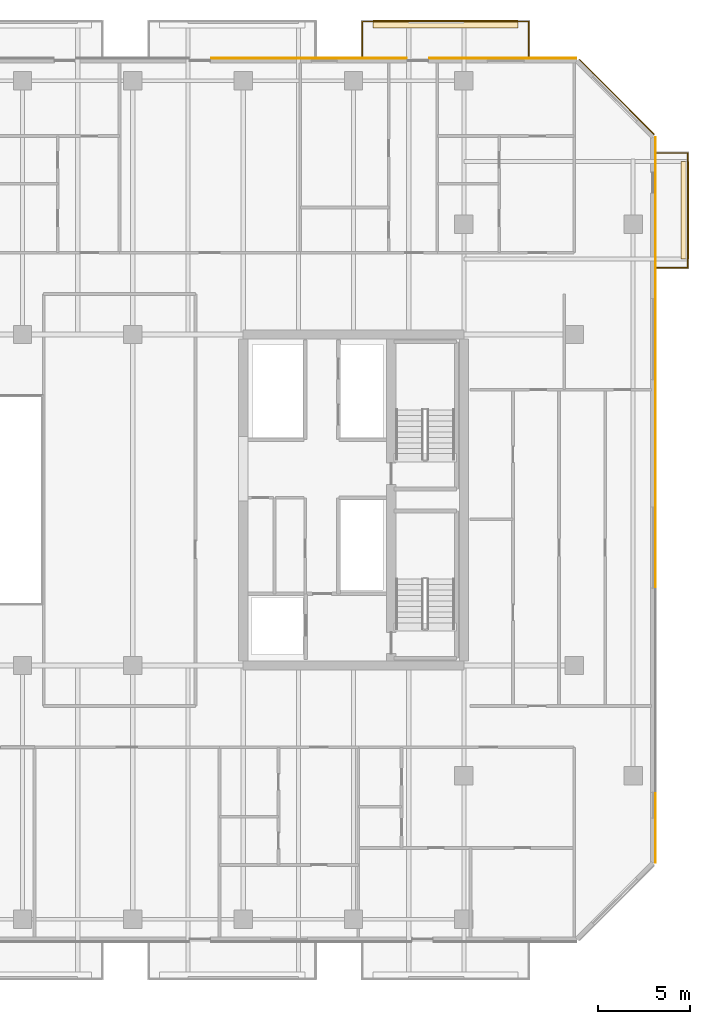
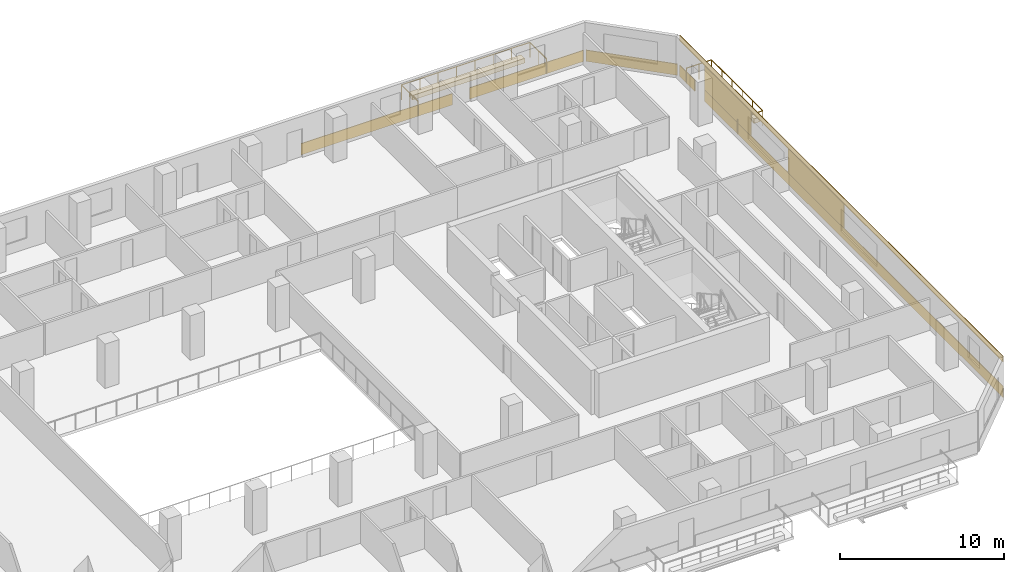
# One storey, part 23 of 23: 10 coverings, 2 railings.
"""IFC4 building model written with IfcOpenShell, lengths in metres."""

from ifc_helpers import new_model, si_unit, direction, frame, origin, origin_2d, place, context, subcontext, project, spatial, polyline, rectangle, outline, extrude, material, layer, layer_set, type_object, element, save


model = new_model("IFC4")

# Units and contexts
model_context = context("Model", 3, precision=1e-05, world=origin(), true_north=direction((0.0, 1.0)))
body_context = subcontext(model_context, "Body", "Model", "MODEL_VIEW")
ifc_project = project(units=[si_unit("LENGTHUNIT", "METRE"), si_unit("AREAUNIT", "SQUARE_METRE"), si_unit("VOLUMEUNIT", "CUBIC_METRE"), si_unit("PLANEANGLEUNIT", "RADIAN"), si_unit("MASSUNIT", "GRAM", prefix="KILO")], contexts=[model_context])

# Site, building, storey
site_placement = place(None, origin())
site = spatial("IfcSite", under=ifc_project, at=site_placement, CompositionType="ELEMENT")
building_placement = place(site_placement, origin())
building = spatial("IfcBuilding", under=site, at=building_placement, Name="Tanjung Sevakor Pilgrim Tower", CompositionType="ELEMENT")
storey_placement = place(building_placement, frame((0.0, 0.0, 82.169921875)))
storey = spatial("IfcBuildingStorey", under=building, at=storey_placement, Name="L22", CompositionType="ELEMENT", Elevation=82.169921875)

# Coverings
ifc_material_1 = material(Name="Reconstructed Limestone Cladding", Category="masonry")
ifc_layer_1 = layer(ifc_material_1, 0.044921875)
ifc_layer_set_1 = layer_set([ifc_layer_1], Name="COV-CLAD-LIMESTONE")
covering_type_1 = type_object("IfcCoveringType", Name="COV-CLAD-LIMESTONE", PredefinedType="CLADDING", material=ifc_layer_set_1)
covering_1_placement = place(storey_placement, frame((100.422607421875, 32.06591796875, 0.01025390625), z_axis=(0.0, 0.0, 1.0), x_axis=(0.0, 1.0, 0.0)))
element("IfcCovering", 1, at=covering_1_placement, inside=storey, type_object=covering_type_1, Name="L22 Warm Limestone Sill Spandrel EW-L22-MAIN-7-1", PredefinedType="CLADDING", context=body_context, shape_type="SweptSolid", body=[
    extrude(rectangle(XDim=36.34814453125, YDim=0.044921875, at=origin_2d()), origin(), (0.0, 0.0, 1.0), 0.840087890625),
])
covering_2_placement = place(storey_placement, frame((100.422607421875, 52.384033203125, 0.01025390625), z_axis=(0.0, 0.0, 1.0), x_axis=(0.0, 1.0, 0.0)))
element("IfcCovering", 2, at=covering_2_placement, inside=storey, type_object=covering_type_1, Name="L22 Warm Limestone Sill Spandrel EW-L22-MAIN-7-2", PredefinedType="CLADDING", context=body_context, shape_type="SweptSolid", body=[
    extrude(rectangle(XDim=1.84814453125, YDim=0.044921875, at=origin_2d()), origin(), (0.0, 0.0, 1.0), 0.840087890625),
])
covering_3_placement = place(storey_placement, frame((100.422607421875, 33.60009765625, 2.66015625), z_axis=(0.0, 0.0, 1.0), x_axis=(0.0, 1.0, 0.0)))
element("IfcCovering", 3, at=covering_3_placement, inside=storey, type_object=covering_type_1, Name="L22 Warm Limestone Cornice Spandrel EW-L22-MAIN-7", PredefinedType="CLADDING", context=body_context, shape_type="SweptSolid", body=[
    extrude(rectangle(XDim=39.456298828125, YDim=0.044921875, at=origin_2d()), origin(), (0.0, 0.0, 1.0), 0.409912109375),
])
covering_4_placement = place(storey_placement, frame((100.422607421875, 36.679931640625, 0.85009765625), z_axis=(0.0, 0.0, 1.0), x_axis=(0.0, 1.0, 0.0)))
element("IfcCovering", 4, at=covering_4_placement, inside=storey, type_object=covering_type_1, Name="L22 Warm Limestone Pier Panel EW-L22-MAIN-7-2", PredefinedType="CLADDING", context=body_context, shape_type="SweptSolid", body=[
    extrude(rectangle(XDim=6.840087890625, YDim=0.044921875, at=origin_2d()), origin(), (0.0, 0.0, 1.0), 1.81005859375),
])
covering_5_placement = place(storey_placement, frame((100.422607421875, 47.425048828125, 0.85009765625), z_axis=(0.0, 0.0, 1.0), x_axis=(0.0, 1.0, 0.0)))
element("IfcCovering", 5, at=covering_5_placement, inside=storey, type_object=covering_type_1, Name="L22 Warm Limestone Pier Panel EW-L22-MAIN-7-3", PredefinedType="CLADDING", context=body_context, shape_type="SweptSolid", body=[
    extrude(rectangle(XDim=5.64990234375, YDim=0.044921875, at=origin_2d()), origin(), (0.0, 0.0, 1.0), 1.81005859375),
])
covering_6_placement = place(storey_placement, frame((98.31591796875, 55.515869140625, 0.01025390625), z_axis=(0.0, 0.0, 1.0), x_axis=(-0.707106781187, 0.707106781187, 0.0)))
element("IfcCovering", 6, at=covering_6_placement, inside=storey, type_object=covering_type_1, Name="L22 Warm Limestone Sill Spandrel EW-CHM-L22-MAIN-7-1", PredefinedType="CLADDING", context=body_context, shape_type="SweptSolid", body=[
    extrude(rectangle(XDim=5.756103515625, YDim=0.044921875, at=origin_2d()), origin(), (0.0, 0.0, 1.0), 0.840087890625),
])
covering_7_placement = place(storey_placement, frame((92.109130859375, 57.62255859375, 0.01025390625), z_axis=(0.0, 0.0, 1.0), x_axis=(-1.0, 0.0, 0.0)))
element("IfcCovering", 7, at=covering_7_placement, inside=storey, type_object=covering_type_1, Name="L22 Warm Limestone Sill Spandrel EW-L22-MAIN-9-1", PredefinedType="CLADDING", context=body_context, shape_type="SweptSolid", body=[
    extrude(rectangle(XDim=7.998291015625, YDim=0.044921875, at=origin_2d()), origin(), (0.0, 0.0, 1.0), 0.840087890625),
])
covering_8_placement = place(storey_placement, frame((81.574951171875, 57.62255859375, 0.01025390625), z_axis=(0.0, 0.0, 1.0), x_axis=(-1.0, 0.0, 0.0)))
element("IfcCovering", 8, at=covering_8_placement, inside=storey, type_object=covering_type_1, Name="L22 Warm Limestone Sill Spandrel EW-L22-MAIN-9-2", PredefinedType="CLADDING", context=body_context, shape_type="SweptSolid", body=[
    extrude(rectangle(XDim=10.6298828125, YDim=0.044921875, at=origin_2d()), origin(), (0.0, 0.0, 1.0), 0.840087890625),
])
ifc_material_2 = material(Name="Vegetated Modular Planter Assembly", Category="organic")
ifc_layer_2 = layer(ifc_material_2, 0.35009765625)
ifc_layer_set_2 = layer_set([ifc_layer_2], Name="COV-GRN-TROUGH")
covering_type_2 = type_object("IfcCoveringType", Name="COV-GRN-TROUGH", PredefinedType="CLADDING", material=ifc_layer_set_2)
covering_9_placement = place(storey_placement, origin())
element("IfcCovering", 9, at=covering_9_placement, inside=storey, type_object=covering_type_2, Name="L22 Planted Landscape Hedge Trough BGRN-L22-MAIN-N4", PredefinedType="CLADDING", context=body_context, shape_type="SweptSolid", body=[
    extrude(outline(polyline([(85.050048828125, 59.260009765625), (92.949951171875, 59.260009765625), (92.949951171875, 59.699951171875), (85.050048828125, 59.699951171875), (85.050048828125, 59.260009765625)])), origin(), (0.0, 0.0, 1.0), 0.35009765625),
])
covering_10_placement = place(storey_placement, origin())
element("IfcCovering", 10, at=covering_10_placement, inside=storey, type_object=covering_type_2, Name="L22 Planted Landscape Hedge Trough BGRN-L22-MAIN-E1", PredefinedType="CLADDING", context=body_context, shape_type="SweptSolid", body=[
    extrude(outline(polyline([(102.25, 46.699951171875), (102.25, 52.0), (101.81005859375, 52.0), (101.81005859375, 46.699951171875), (102.25, 46.699951171875)])), origin(), (0.0, 0.0, 1.0), 0.35009765625),
])

# Railings
ifc_material_3 = material(Name="Laminated Glass and Aluminium", Category="aluminium")
railing_type = type_object("IfcRailingType", Name="RL-BAL-BALUST", PredefinedType="BALUSTRADE", material=ifc_material_3)
railing_1_placement = place(storey_placement, frame((84.47998046875, 57.60009765625, 0.0)))
element("IfcRailing", 11, at=railing_1_placement, inside=storey, type_object=railing_type, Name="L22 Loggia Balustrade MAIN-N4", PredefinedType="BALUSTRADE", context=body_context, shape_type="SweptSolid", body=[
    extrude(rectangle(XDim=0.0479, YDim=0.0479), frame((0.0, 0.0, 1.1259765625), z_axis=(0.0, 1.0, 0.0), x_axis=(-1.0, 0.0, 0.0)), (0.0, 0.0, 1.0), 2.02001953125),
    extrude(rectangle(XDim=0.0479, YDim=0.0479), frame((0.0, 2.02001953125, 1.1259765625), z_axis=(1.0, 0.0, 0.0), x_axis=(0.0, 1.0, 0.0)), (0.0, 0.0, 1.0), 9.0400390625),
    extrude(rectangle(XDim=0.0479, YDim=0.0479), frame((9.0400390625, 2.02001953125, 1.1259765625), z_axis=(0.0, -1.0, 0.0), x_axis=(1.0, 0.0, 0.0)), (0.0, 0.0, 1.0), 2.02001953125),
    extrude(rectangle(XDim=0.042, YDim=0.042), origin(), (0.0, 0.0, 1.0), 1.101806640625),
    extrude(rectangle(XDim=0.042, YDim=0.042), frame((0.0, 1.010009765625, 0.0)), (0.0, 0.0, 1.0), 1.101806640625),
    extrude(rectangle(XDim=0.042, YDim=0.042), frame((0.0, 2.02001953125, 0.0)), (0.0, 0.0, 1.0), 1.101806640625),
    extrude(rectangle(XDim=0.042, YDim=0.042), frame((1.29150390625, 2.02001953125, 0.0)), (0.0, 0.0, 1.0), 1.101806640625),
    extrude(rectangle(XDim=0.042, YDim=0.042), frame((2.582763671875, 2.02001953125, 0.0)), (0.0, 0.0, 1.0), 1.101806640625),
    extrude(rectangle(XDim=0.042, YDim=0.042), frame((3.874267578125, 2.02001953125, 0.0)), (0.0, 0.0, 1.0), 1.101806640625),
    extrude(rectangle(XDim=0.042, YDim=0.042), frame((5.165771484375, 2.02001953125, 0.0)), (0.0, 0.0, 1.0), 1.101806640625),
    extrude(rectangle(XDim=0.042, YDim=0.042), frame((6.457275390625, 2.02001953125, 0.0)), (0.0, 0.0, 1.0), 1.101806640625),
    extrude(rectangle(XDim=0.042, YDim=0.042), frame((7.74853515625, 2.02001953125, 0.0)), (0.0, 0.0, 1.0), 1.101806640625),
    extrude(rectangle(XDim=0.042, YDim=0.042), frame((9.0400390625, 2.02001953125, 0.0)), (0.0, 0.0, 1.0), 1.101806640625),
    extrude(rectangle(XDim=0.042, YDim=0.042), frame((9.0400390625, 1.010009765625, 0.0)), (0.0, 0.0, 1.0), 1.101806640625),
    extrude(rectangle(XDim=0.042, YDim=0.042), frame((9.0400390625, 0.0, 0.0)), (0.0, 0.0, 1.0), 1.101806640625),
])
railing_2_placement = place(storey_placement, frame((100.39990234375, 46.22998046875, 0.0)))
element("IfcRailing", 12, at=railing_2_placement, inside=storey, type_object=railing_type, Name="L22 Loggia Balustrade MAIN-E1", PredefinedType="BALUSTRADE", context=body_context, shape_type="SweptSolid", body=[
    extrude(rectangle(XDim=0.0479, YDim=0.0479), frame((0.0, 0.0, 1.1259765625), z_axis=(1.0, 0.0, 0.0), x_axis=(0.0, 1.0, 0.0)), (0.0, 0.0, 1.0), 1.77001953125),
    extrude(rectangle(XDim=0.0479, YDim=0.0479), frame((1.77001953125, 0.0, 1.1259765625), z_axis=(0.0, 1.0, 0.0), x_axis=(-1.0, 0.0, 0.0)), (0.0, 0.0, 1.0), 6.239990234375),
    extrude(rectangle(XDim=0.0479, YDim=0.0479), frame((1.77001953125, 6.239990234375, 1.1259765625), z_axis=(-1.0, 0.0, 0.0), x_axis=(0.0, -1.0, 0.0)), (0.0, 0.0, 1.0), 1.77001953125),
    extrude(rectangle(XDim=0.042, YDim=0.042), origin(), (0.0, 0.0, 1.0), 1.101806640625),
    extrude(rectangle(XDim=0.042, YDim=0.042), frame((0.885009765625, 0.0, 0.0)), (0.0, 0.0, 1.0), 1.101806640625),
    extrude(rectangle(XDim=0.042, YDim=0.042), frame((1.77001953125, 0.0, 0.0)), (0.0, 0.0, 1.0), 1.101806640625),
    extrude(rectangle(XDim=0.042, YDim=0.042), frame((1.77001953125, 1.248046875, 0.0)), (0.0, 0.0, 1.0), 1.101806640625),
    extrude(rectangle(XDim=0.042, YDim=0.042), frame((1.77001953125, 2.49609375, 0.0)), (0.0, 0.0, 1.0), 1.101806640625),
    extrude(rectangle(XDim=0.042, YDim=0.042), frame((1.77001953125, 3.743896484375, 0.0)), (0.0, 0.0, 1.0), 1.101806640625),
    extrude(rectangle(XDim=0.042, YDim=0.042), frame((1.77001953125, 4.991943359375, 0.0)), (0.0, 0.0, 1.0), 1.101806640625),
    extrude(rectangle(XDim=0.042, YDim=0.042), frame((1.77001953125, 6.239990234375, 0.0)), (0.0, 0.0, 1.0), 1.101806640625),
    extrude(rectangle(XDim=0.042, YDim=0.042), frame((0.885009765625, 6.239990234375, 0.0)), (0.0, 0.0, 1.0), 1.101806640625),
    extrude(rectangle(XDim=0.042, YDim=0.042), frame((0.0, 6.239990234375, 0.0)), (0.0, 0.0, 1.0), 1.101806640625),
])

save(model, "model.ifc")
